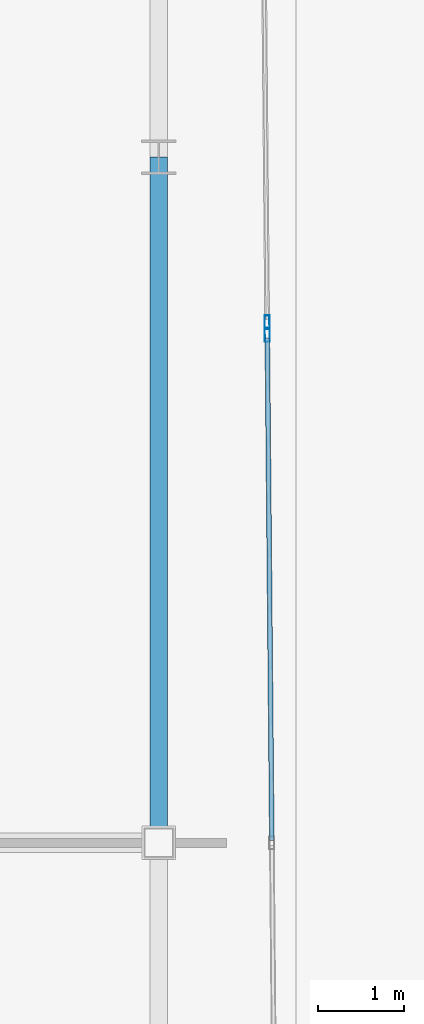
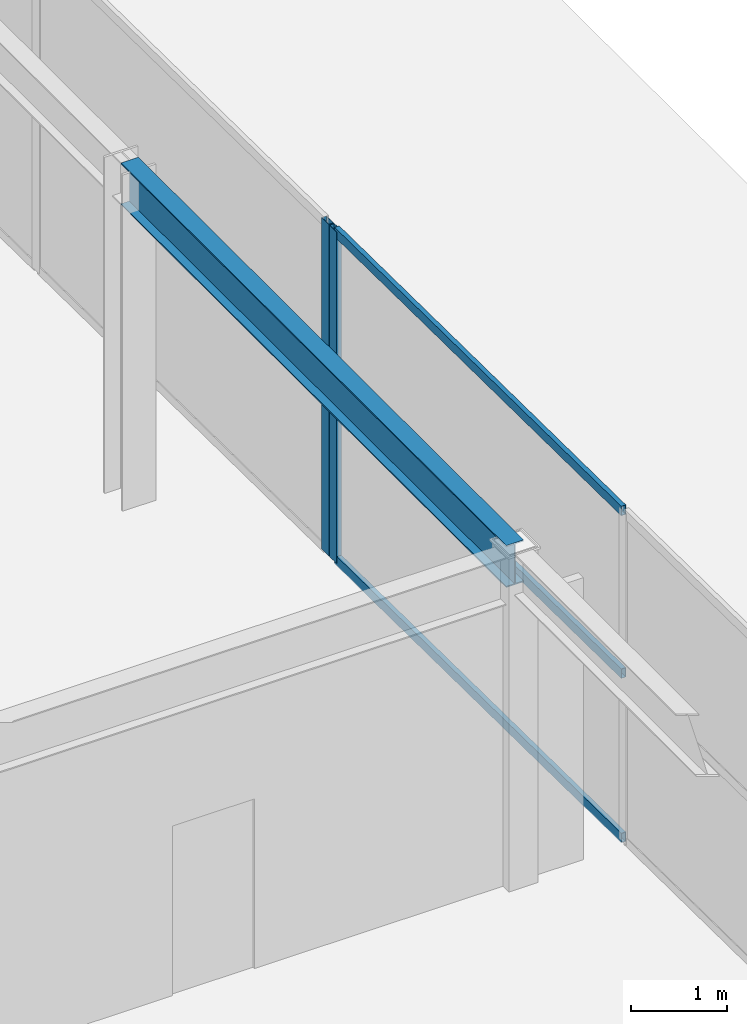
# One storey, part 48 of 107: 5 members, 1 beam, 2 elements without a shape of their own.
"""IFC4 building model written with IfcOpenShell, lengths in metres."""

from ifc_helpers import new_model, si_unit, direction, frame, origin, origin_2d, place, context, subcontext, project, spatial, hollow_rectangle, i_section, extrude, material, layer, layer_set, material_profile, profile_set, type_object, element, aggregate, save


model = new_model("IFC4")

# Units and contexts
model_context = context("Model", 3, precision=1e-05, world=origin(), true_north=direction((0.0, 1.0)))
body_context = subcontext(model_context, "Body", "Model", "MODEL_VIEW")
ifc_project = project(units=[si_unit("LENGTHUNIT", "METRE"), si_unit("AREAUNIT", "SQUARE_METRE"), si_unit("VOLUMEUNIT", "CUBIC_METRE"), si_unit("PLANEANGLEUNIT", "RADIAN"), si_unit("MASSUNIT", "GRAM", prefix="KILO")], contexts=[model_context])

# Site, building, storey
site_placement = place(None, origin())
site = spatial("IfcSite", under=ifc_project, at=site_placement, CompositionType="ELEMENT")
building_placement = place(site_placement, origin())
building = spatial("IfcBuilding", under=site, at=building_placement, Name="Kalgoora Escarpment Arena", CompositionType="ELEMENT")
storey_placement = place(building_placement, frame((0.0, 0.0, 5.39990234375)))
storey = spatial("IfcBuildingStorey", under=building, at=storey_placement, Name="L01", CompositionType="ELEMENT", Elevation=5.39990234375)

# Beam
ifc_material_1 = material(Name="Structural steel AS/NZS 3679 (300 MPa)", Category="steel")
ifc_material_profile_1 = material_profile(ifc_material_1, i_section(OverallWidth=0.208984375, OverallDepth=0.532958984375, WebThickness=0.01025390625, FlangeThickness=0.015625, at=origin_2d()))
ifc_profile_set_1 = profile_set([ifc_material_profile_1], Name="Structural steel AS/NZS 3679 (300 MPa)")
beam_type = type_object("IfcBeamType", Name="BM-GIRDER-530UB92.4", PredefinedType="USERDEFINED", material=ifc_profile_set_1)
beam_placement = place(storey_placement, frame((176.39990234375, 24.0, 3.99365234375), z_axis=(0.0, 1.0, 0.0), x_axis=(-1.0, 0.0, 0.0)))
element("IfcBeam", 1, at=beam_placement, inside=storey, type_object=beam_type, Name="L01 Floor girder 530UB92.4", ObjectType="GIRDER", PredefinedType="USERDEFINED", context=body_context, shape_type="SweptSolid", body=[
    extrude(i_section(OverallWidth=0.208984375, OverallDepth=0.532958984375, WebThickness=0.01025390625, FlangeThickness=0.015625, at=origin_2d()), origin(), (0.0, 0.0, 1.0), 8.0),
])

# Curtain wall, member
ifc_material_2 = material(Name=" Champagne anodised aluminium & double-glazed low-E", Category="aluminium")
ifc_layer_1 = layer(ifc_material_2, 0.166015625)
ifc_layer_set_1 = layer_set([ifc_layer_1], Name="CW-UNIT-19")
curtain_wall_type_1 = type_object("IfcCurtainWallType", Name="CW-UNIT-19", PredefinedType="NOTDEFINED", material=ifc_layer_set_1)
curtain_wall_1_placement = place(storey_placement, origin())
curtain_wall_1 = element("IfcCurtainWall", 2, at=curtain_wall_1_placement, inside=storey, type_object=curtain_wall_type_1, Name="L01 unitised facade curtain wall 038", PredefinedType="NOTDEFINED")
ifc_material_3 = material(Name="Anodised aluminium 6063-T6", Category="aluminium")
ifc_material_profile_2 = material_profile(ifc_material_3, hollow_rectangle(XDim=0.06005859375, YDim=0.14990234375, WallThickness=0.00341796875, at=origin_2d()))
ifc_profile_set_2 = profile_set([ifc_material_profile_2], Name="Anodised aluminium 6063-T6")
member_type_1 = type_object("IfcMemberType", Name="MEM-CW-MULL-150", PredefinedType="MULLION", material=ifc_profile_set_2)
member_1_placement = place(storey_placement, frame((177.66455078125, 30.078857421875, 0.02001953125), z_axis=(0.0, 0.0, 1.0), x_axis=(0.999959954916, 0.008949221441, 0.0)))
member_1 = element("IfcMember", 3, at=member_1_placement, type_object=member_type_1, Name="CW-19 mullion 3", PredefinedType="MULLION", context=body_context, shape_type="SweptSolid", body=[
    extrude(hollow_rectangle(XDim=0.06005859375, YDim=0.14990234375, WallThickness=0.00341796875, at=origin_2d()), origin(), (0.0, 0.0, 1.0), 4.2001953125),
])
aggregate(curtain_wall_1, [member_1])

# Curtain wall, members
ifc_material_4 = material(Name=" Champagne anodised aluminium & double-glazed low-E", Category="aluminium")
ifc_layer_2 = layer(ifc_material_4, 0.14990234375)
ifc_layer_set_2 = layer_set([ifc_layer_2], Name="CW-UNIT-20")
curtain_wall_type_2 = type_object("IfcCurtainWallType", Name="CW-UNIT-20", PredefinedType="NOTDEFINED", material=ifc_layer_set_2)
curtain_wall_2_placement = place(storey_placement, origin())
curtain_wall_2 = element("IfcCurtainWall", 4, at=curtain_wall_2_placement, inside=storey, type_object=curtain_wall_type_2, Name="L01 unitised facade curtain wall 039", PredefinedType="NOTDEFINED")
member_2_placement = place(storey_placement, frame((177.665771484375, 29.9189453125, 0.02001953125), z_axis=(0.0, 0.0, 1.0), x_axis=(0.999959954916, 0.008949221441, 0.0)))
member_2 = element("IfcMember", 5, at=member_2_placement, type_object=member_type_1, Name="CW-20 mullion 1", PredefinedType="MULLION", context=body_context, shape_type="SweptSolid", body=[
    extrude(hollow_rectangle(XDim=0.06005859375, YDim=0.14990234375, WallThickness=0.00341796875, at=origin_2d()), origin(), (0.0, 0.0, 1.0), 4.2001953125),
])
ifc_material_5 = material(Name="Anodised aluminium 6063-T6", Category="aluminium")
ifc_material_profile_3 = material_profile(ifc_material_5, hollow_rectangle(XDim=0.054931640625, YDim=0.1201171875, WallThickness=0.003173828125, at=origin_2d()))
ifc_profile_set_3 = profile_set([ifc_material_profile_3], Name="Anodised aluminium 6063-T6")
member_type_2 = type_object("IfcMemberType", Name="MEM-CW-TRAN-120", PredefinedType="USERDEFINED", material=ifc_profile_set_3)
member_3_placement = place(storey_placement, frame((177.666015625, 29.888916015625, 0.047607421875), z_axis=(0.008956854377, -0.999959886575, 0.0), x_axis=(0.999959886575, 0.008956854377, 0.0)))
member_3 = element("IfcMember", 6, at=member_3_placement, type_object=member_type_2, Name="CW-20 transom 1.1", ObjectType="TRANSOM", PredefinedType="USERDEFINED", context=body_context, shape_type="SweptSolid", body=[
    extrude(hollow_rectangle(XDim=0.054931640625, YDim=0.1201171875, WallThickness=0.003173828125, at=origin_2d()), origin(), (0.0, 0.0, 1.0), 5.8603515625),
])
member_4_placement = place(storey_placement, frame((177.666015625, 29.888916015625, 2.130126953125), z_axis=(0.008956854377, -0.999959886575, 0.0), x_axis=(0.999959886575, 0.008956854377, 0.0)))
member_4 = element("IfcMember", 7, at=member_4_placement, type_object=member_type_2, Name="CW-20 transom 1.2", ObjectType="TRANSOM", PredefinedType="USERDEFINED", context=body_context, shape_type="SweptSolid", body=[
    extrude(hollow_rectangle(XDim=0.054931640625, YDim=0.1201171875, WallThickness=0.003173828125, at=origin_2d()), origin(), (0.0, 0.0, 1.0), 5.8603515625),
])
member_5_placement = place(storey_placement, frame((177.666015625, 29.888916015625, 4.192626953125), z_axis=(0.008956854377, -0.999959886575, 0.0), x_axis=(0.999959886575, 0.008956854377, 0.0)))
member_5 = element("IfcMember", 8, at=member_5_placement, type_object=member_type_2, Name="CW-20 transom 1.3", ObjectType="TRANSOM", PredefinedType="USERDEFINED", context=body_context, shape_type="SweptSolid", body=[
    extrude(hollow_rectangle(XDim=0.054931640625, YDim=0.1201171875, WallThickness=0.003173828125, at=origin_2d()), origin(), (0.0, 0.0, 1.0), 5.8603515625),
])
aggregate(curtain_wall_2, [member_2, member_3, member_4, member_5])

save(model, "model.ifc")
